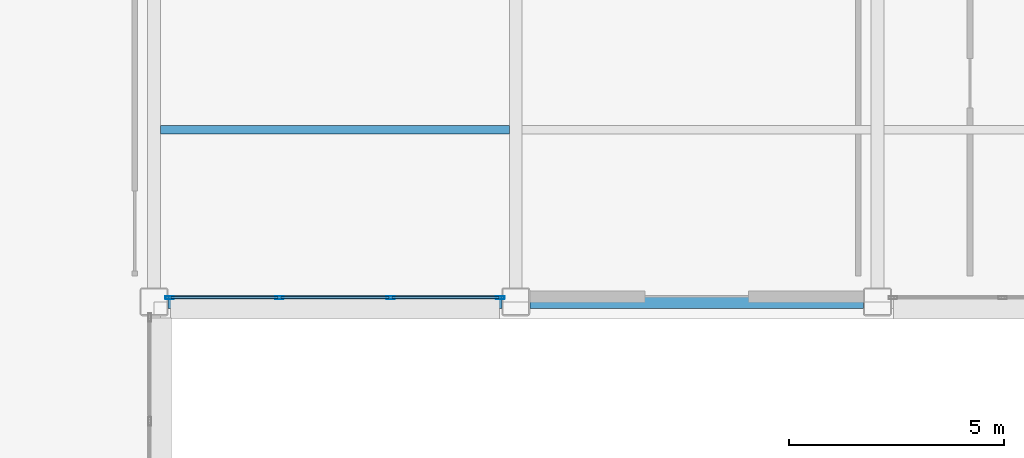
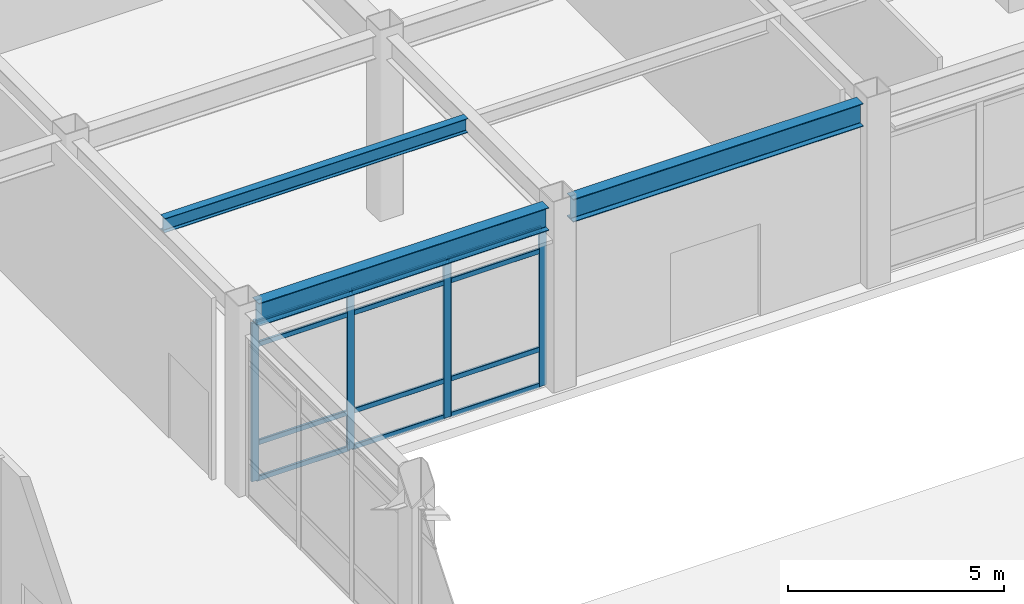
# One storey, part 40 of 165: 16 members, 3 beams, 1 element without a shape of its own.
"""IFC4 building model written with IfcOpenShell, lengths in metres."""

import ifcopenshell
import ifcopenshell.guid

model = None  # the IFC model being written
_history = None  # IfcOwnerHistory: only IFC2X3 demands one
_inside = {}  # id of a spatial element -> (the spatial element, [elements in it])
_under = {}  # id of a project, library or spatial element -> (it, [spatial elements below it])
_declared = {}  # id of a project -> (the project, [libraries it declares])
_typed = {}  # id of a type object -> (the type object, [elements of that type])
_made_of = {}  # id of a material, layer set ... -> (it, [elements and type objects made of it])


def new_model(schema):
    """Start an empty IFC model of exactly this schema.

    Asked for "IFC4X3", IfcOpenShell would pick the latest addendum, in which some entities
    have other attributes; the version numbers below select the first issue.
    IFC2X3 requires an IfcOwnerHistory on every rooted entity: one is made here for all.
    """
    global model, _history
    if schema == "IFC4X3":
        model = ifcopenshell.file(schema_version=(4, 3, 0, 0))
    else:
        model = ifcopenshell.file(schema=schema)
    _inside.clear()
    _under.clear()
    _declared.clear()
    _typed.clear()
    _made_of.clear()
    _history = None
    if model.schema == "IFC2X3":
        org = make("IfcOrganization", Name="unknown")
        user = make(
            "IfcPersonAndOrganization",
            ThePerson=make("IfcPerson", FamilyName="unknown"),
            TheOrganization=org,
        )
        app = make(
            "IfcApplication",
            ApplicationDeveloper=org,
            Version="unknown",
            ApplicationFullName="unknown",
            ApplicationIdentifier="unknown",
        )
        _history = make(
            "IfcOwnerHistory",
            OwningUser=user,
            OwningApplication=app,
            ChangeAction="ADDED",
            CreationDate=0,
        )
    return model


def make(cls, **values):
    """One entity of the class cls with the attributes given. An attribute that is None is left unset."""
    return model.create_entity(
        cls, **{name: value for name, value in values.items() if value is not None}
    )


def rooted(cls, **values):
    """An entity with a GlobalId (a new one), such as an element, a storey or a relation."""
    return make(cls, GlobalId=ifcopenshell.guid.new(), OwnerHistory=_history, **values)


def si_unit(unit_type, name, prefix=None):
    """IfcSIUnit, for example si_unit("LENGTHUNIT", "METRE", prefix="MILLI")."""
    return make("IfcSIUnit", UnitType=unit_type, Prefix=prefix, Name=name)


def assignment(units):
    """IfcUnitAssignment: the units of a project."""
    return None if units is None else make("IfcUnitAssignment", Units=units)


def point(xyz):
    """IfcCartesianPoint."""
    return None if xyz is None else make("IfcCartesianPoint", Coordinates=xyz)


def direction(xyz):
    """IfcDirection."""
    return None if xyz is None else make("IfcDirection", DirectionRatios=xyz)


def frame(location, z_axis=None, x_axis=None):
    """IfcAxis2Placement3D, a coordinate frame: its origin and axes. An axis left out is left unset."""
    return make(
        "IfcAxis2Placement3D",
        Location=point(location),
        Axis=direction(z_axis),
        RefDirection=direction(x_axis),
    )


def frame_2d(location, x_axis=None):
    """IfcAxis2Placement2D, a coordinate frame in the plane: its origin and x axis."""
    return make(
        "IfcAxis2Placement2D", Location=point(location), RefDirection=direction(x_axis)
    )


def origin():
    """The frame at (0, 0, 0) with its axes left unset."""
    return frame((0.0, 0.0, 0.0))


def origin_2d():
    """The frame at (0, 0) in the plane with its x axis left unset."""
    return frame_2d((0.0, 0.0))


def place(relative_to, where):
    """IfcLocalPlacement: puts the frame where relative to a parent placement (None: the world)."""
    return make(
        "IfcLocalPlacement", PlacementRelTo=relative_to, RelativePlacement=where
    )


def context(
    kind, dimensions, precision=None, world=None, true_north=None, identifier=None
):
    """IfcGeometricRepresentationContext, for example the 3D "Model" context."""
    return make(
        "IfcGeometricRepresentationContext",
        ContextIdentifier=identifier,
        ContextType=kind,
        CoordinateSpaceDimension=dimensions,
        Precision=precision,
        WorldCoordinateSystem=world,
        TrueNorth=true_north,
    )


def subcontext(parent, identifier, kind, view, scale=None):
    """IfcGeometricRepresentationSubContext, for example "Body" below "Model"."""
    return make(
        "IfcGeometricRepresentationSubContext",
        ContextIdentifier=identifier,
        ContextType=kind,
        ParentContext=parent,
        TargetScale=scale,
        TargetView=view,
    )


def project(units=None, contexts=None):
    """IfcProject with its units and contexts."""
    return rooted(
        "IfcProject",
        Name="project",
        RepresentationContexts=contexts,
        UnitsInContext=assignment(units),
    )


def spatial(cls, under=None, at=None, **own):
    """A site, building, storey or space (cls), placed at a placement, below another one or the project."""
    s = rooted(cls, ObjectPlacement=at, **own)
    if under is not None:
        _under.setdefault(under.id(), (under, []))[1].append(s)
    return s


def profile(cls, at=None, kind="AREA", **sizes):
    """A parametric profile (cls). Its sizes go by their IFC names, for example OverallWidth=200.0."""
    return make(cls, ProfileType=kind, Position=at, **sizes)


def hollow_rectangle(**sizes):
    """IfcRectangleHollowProfileDef."""
    return profile("IfcRectangleHollowProfileDef", **sizes)


def i_section(**sizes):
    """IfcIShapeProfileDef."""
    return profile("IfcIShapeProfileDef", **sizes)


def extrude(swept, where, along, depth):
    """IfcExtrudedAreaSolid: the profile swept, set in the frame where, extruded along a direction by depth."""
    return make(
        "IfcExtrudedAreaSolid",
        SweptArea=swept,
        Position=where,
        ExtrudedDirection=direction(along),
        Depth=depth,
    )


def shape(context_of_items, identifier, shape_type, items):
    """IfcShapeRepresentation: the items that make up one representation, for example the "Body"."""
    return make(
        "IfcShapeRepresentation",
        ContextOfItems=context_of_items,
        RepresentationIdentifier=identifier,
        RepresentationType=shape_type,
        Items=items,
    )


def material(Name=None, Category=None):
    """IfcMaterial."""
    return make("IfcMaterial", Name=Name, Category=Category)


def layer(
    of_material, thickness, ventilated=None, Name=None, Category=None, Priority=None
):
    """IfcMaterialLayer: one layer of a wall or slab, of a material (None: an air gap)."""
    return make(
        "IfcMaterialLayer",
        Material=of_material,
        LayerThickness=thickness,
        IsVentilated=ventilated,
        Name=Name,
        Category=Category,
        Priority=Priority,
    )


def layer_set(layers, Name=None):
    """IfcMaterialLayerSet."""
    return make("IfcMaterialLayerSet", MaterialLayers=layers, LayerSetName=Name)


def material_profile(
    of_material, cross_section, Name=None, Category=None, Priority=None
):
    """IfcMaterialProfile: a cross section and its material."""
    return make(
        "IfcMaterialProfile",
        Name=Name,
        Material=of_material,
        Profile=cross_section,
        Priority=Priority,
        Category=Category,
    )


def profile_set(profiles, Name=None, composite=None):
    """IfcMaterialProfileSet."""
    return make(
        "IfcMaterialProfileSet",
        Name=Name,
        MaterialProfiles=profiles,
        CompositeProfile=composite,
    )


def made_of(thing, what):
    """Note that an element or type object is made of a material, layer set ...; save() writes the relation."""
    if what is not None:
        _made_of.setdefault(what.id(), (what, []))[1].append(thing)
    return thing


def type_object(cls, material=None, **own):
    """A type object (cls), such as IfcWallType, which elements share."""
    return made_of(rooted(cls, **own), material)


def element(
    cls,
    number,
    at=None,
    inside=None,
    cuts=None,
    type_object=None,
    material=None,
    context=None,
    identifier="Body",
    shape_type=None,
    held_by="IfcProductDefinitionShape",
    body=None,
    shapes=None,
    **own,
):
    """One element of the class cls, such as IfcWall. Its Tag is "e" and its number.

    at: its placement. inside: the storey or other place that contains it. cuts: it is an
    opening in that element (IfcRelVoidsElement). A single representation is given by context,
    identifier, shape_type and body (its items); several are given by shapes. held_by: the class
    of the entity that holds the representations. save() writes the other relations.
    """
    e = rooted(cls, Tag="e%d" % number, ObjectPlacement=at, **own)
    if body is not None:
        shapes = [shape(context, identifier, shape_type, body)]
    if shapes is not None:
        e.Representation = make(held_by, Representations=shapes)
    if inside is not None:
        _inside.setdefault(inside.id(), (inside, []))[1].append(e)
    if cuts is not None:
        rooted(
            "IfcRelVoidsElement", RelatingBuildingElement=cuts, RelatedOpeningElement=e
        )
    if type_object is not None:
        _typed.setdefault(type_object.id(), (type_object, []))[1].append(e)
    return made_of(e, material)


def aggregate(whole, parts):
    """IfcRelAggregates: a whole, such as a stair, and the parts it consists of."""
    return rooted("IfcRelAggregates", RelatingObject=whole, RelatedObjects=parts)


def save(model, path):
    """Write the relations noted so far, then the file.

    IfcRelAggregates (storeys below a building ...), IfcRelContainedInSpatialStructure (elements
    in a storey), IfcRelDefinesByType, IfcRelAssociatesMaterial and IfcRelDeclares: one each for
    every whole, place, type object, material and project.
    """
    for whole, parts in _under.values():
        aggregate(whole, parts)
    for where, things in _inside.values():
        rooted(
            "IfcRelContainedInSpatialStructure",
            RelatedElements=things,
            RelatingStructure=where,
        )
    for kind, things in _typed.values():
        rooted("IfcRelDefinesByType", RelatedObjects=things, RelatingType=kind)
    for what, things in _made_of.values():
        rooted("IfcRelAssociatesMaterial", RelatedObjects=things, RelatingMaterial=what)
    for by, libraries in _declared.values():
        rooted("IfcRelDeclares", RelatingContext=by, RelatedDefinitions=libraries)
    model.write(path)


model = new_model("IFC4")

# Units and contexts
model_context = context("Model", 3, precision=1e-05, world=origin(), true_north=direction((0.0, 1.0)))
body_context = subcontext(model_context, "Body", "Model", "MODEL_VIEW")
ifc_project = project(units=[si_unit("LENGTHUNIT", "METRE"), si_unit("AREAUNIT", "SQUARE_METRE"), si_unit("VOLUMEUNIT", "CUBIC_METRE"), si_unit("PLANEANGLEUNIT", "RADIAN"), si_unit("MASSUNIT", "GRAM", prefix="KILO")], contexts=[model_context])

# Site, building, storey
site_placement = place(None, origin())
site = spatial("IfcSite", under=ifc_project, at=site_placement, CompositionType="ELEMENT")
building_placement = place(site_placement, origin())
building = spatial("IfcBuilding", under=site, at=building_placement, Name="Kazehara Bluff Congress Hotel", CompositionType="ELEMENT")
storey_placement = place(building_placement, origin())
storey = spatial("IfcBuildingStorey", under=building, at=storey_placement, Name="L00", CompositionType="ELEMENT", Elevation=0.0)

# Curtain wall, members
ifc_material_1 = material(Name="Anodised aluminium", Category="aluminium")
ifc_layer = layer(ifc_material_1, 0.159912109375)
ifc_layer_set = layer_set([ifc_layer], Name="Anodised aluminium")
curtain_wall_type = type_object("IfcCurtainWallType", Name="TP-CW-69", PredefinedType="NOTDEFINED", material=ifc_layer_set)
curtain_wall_placement = place(storey_placement, origin())
curtain_wall = element("IfcCurtainWall", 1, at=curtain_wall_placement, inside=storey, type_object=curtain_wall_type, Name="L00 curtain wall CW-69 CW-ENC-V4-L00-8025-1610", PredefinedType="NOTDEFINED")
ifc_material_2 = material(Name="Anodised aluminium", Category="aluminium")
ifc_material_profile_1 = material_profile(ifc_material_2, hollow_rectangle(XDim=0.070068359375, YDim=0.199951171875, WallThickness=0.0048828125, InnerFilletRadius=0.0048828125, OuterFilletRadius=0.010009765625, at=origin_2d()))
ifc_profile_set_1 = profile_set([ifc_material_profile_1], Name="Anodised aluminium")
member_type_1 = type_object("IfcMemberType", Name="TP-CWM-03", PredefinedType="MULLION", material=ifc_profile_set_1)
member_1_placement = place(storey_placement, frame((84.090087890625, 16.10009765625, 0.0), z_axis=(0.0, 0.0, 1.0), x_axis=(0.0, -1.0, 0.0)))
member_1 = element("IfcMember", 2, at=member_1_placement, type_object=member_type_1, Name="CW-69 mullion 1", PredefinedType="MULLION", context=body_context, shape_type="SweptSolid", body=[
    extrude(hollow_rectangle(XDim=0.070068359375, YDim=0.199951171875, WallThickness=0.0048828125, InnerFilletRadius=0.0048828125, OuterFilletRadius=0.010009765625, at=origin_2d()), origin(), (0.0, 0.0, 1.0), 4.47509765625),
])
member_2_placement = place(storey_placement, frame((81.541748046875, 16.10009765625, 0.0), z_axis=(0.0, 0.0, 1.0), x_axis=(0.0, -1.0, 0.0)))
member_2 = element("IfcMember", 3, at=member_2_placement, type_object=member_type_1, Name="CW-69 mullion 2", PredefinedType="MULLION", context=body_context, shape_type="SweptSolid", body=[
    extrude(hollow_rectangle(XDim=0.070068359375, YDim=0.199951171875, WallThickness=0.0048828125, InnerFilletRadius=0.0048828125, OuterFilletRadius=0.010009765625, at=origin_2d()), origin(), (0.0, 0.0, 1.0), 4.47509765625),
])
member_3_placement = place(storey_placement, frame((78.958251953125, 16.10009765625, 0.0), z_axis=(0.0, 0.0, 1.0), x_axis=(0.0, -1.0, 0.0)))
member_3 = element("IfcMember", 4, at=member_3_placement, type_object=member_type_1, Name="CW-69 mullion 3", PredefinedType="MULLION", context=body_context, shape_type="SweptSolid", body=[
    extrude(hollow_rectangle(XDim=0.070068359375, YDim=0.199951171875, WallThickness=0.0048828125, InnerFilletRadius=0.0048828125, OuterFilletRadius=0.010009765625, at=origin_2d()), origin(), (0.0, 0.0, 1.0), 4.47509765625),
])
member_4_placement = place(storey_placement, frame((76.409912109375, 16.10009765625, 0.0), z_axis=(0.0, 0.0, 1.0), x_axis=(0.0, -1.0, 0.0)))
member_4 = element("IfcMember", 5, at=member_4_placement, type_object=member_type_1, Name="CW-69 mullion 4", PredefinedType="MULLION", context=body_context, shape_type="SweptSolid", body=[
    extrude(hollow_rectangle(XDim=0.070068359375, YDim=0.199951171875, WallThickness=0.0048828125, InnerFilletRadius=0.0048828125, OuterFilletRadius=0.010009765625, at=origin_2d()), origin(), (0.0, 0.0, 1.0), 4.47509765625),
])
ifc_material_3 = material(Name="Anodised aluminium", Category="aluminium")
ifc_material_profile_2 = material_profile(ifc_material_3, hollow_rectangle(XDim=0.06494140625, YDim=0.139892578125, WallThickness=0.00390625, InnerFilletRadius=0.00390625, OuterFilletRadius=0.008056640625, at=origin_2d()))
ifc_profile_set_2 = profile_set([ifc_material_profile_2], Name="Anodised aluminium")
member_type_2 = type_object("IfcMemberType", Name="TP-CWT-02", PredefinedType="USERDEFINED", material=ifc_profile_set_2)
member_5_placement = place(storey_placement, frame((84.054931640625, 16.10009765625, 0.032470703125), z_axis=(-1.0, 0.0, 0.0), x_axis=(0.0, -1.0, 0.0)))
member_5 = element("IfcMember", 6, at=member_5_placement, type_object=member_type_2, Name="CW-69 transom 1.1", ObjectType="TRANSOM", PredefinedType="USERDEFINED", context=body_context, shape_type="SweptSolid", body=[
    extrude(hollow_rectangle(XDim=0.06494140625, YDim=0.139892578125, WallThickness=0.00390625, InnerFilletRadius=0.00390625, OuterFilletRadius=0.008056640625, at=origin_2d()), origin(), (0.0, 0.0, 1.0), 2.478271484375),
])
member_6_placement = place(storey_placement, frame((84.054931640625, 16.10009765625, 1.050048828125), z_axis=(-1.0, 0.0, 0.0), x_axis=(0.0, -1.0, 0.0)))
member_6 = element("IfcMember", 7, at=member_6_placement, type_object=member_type_2, Name="CW-69 transom 1.2", ObjectType="TRANSOM", PredefinedType="USERDEFINED", context=body_context, shape_type="SweptSolid", body=[
    extrude(hollow_rectangle(XDim=0.06494140625, YDim=0.139892578125, WallThickness=0.00390625, InnerFilletRadius=0.00390625, OuterFilletRadius=0.008056640625, at=origin_2d()), origin(), (0.0, 0.0, 1.0), 2.478271484375),
])
member_7_placement = place(storey_placement, frame((84.054931640625, 16.10009765625, 3.824951171875), z_axis=(-1.0, 0.0, 0.0), x_axis=(0.0, -1.0, 0.0)))
member_7 = element("IfcMember", 8, at=member_7_placement, type_object=member_type_2, Name="CW-69 transom 1.3", ObjectType="TRANSOM", PredefinedType="USERDEFINED", context=body_context, shape_type="SweptSolid", body=[
    extrude(hollow_rectangle(XDim=0.06494140625, YDim=0.139892578125, WallThickness=0.00390625, InnerFilletRadius=0.00390625, OuterFilletRadius=0.008056640625, at=origin_2d()), origin(), (0.0, 0.0, 1.0), 2.478271484375),
])
member_8_placement = place(storey_placement, frame((84.054931640625, 16.10009765625, 4.4423828125), z_axis=(-1.0, 0.0, 0.0), x_axis=(0.0, -1.0, 0.0)))
member_8 = element("IfcMember", 9, at=member_8_placement, type_object=member_type_2, Name="CW-69 transom 1.4", ObjectType="TRANSOM", PredefinedType="USERDEFINED", context=body_context, shape_type="SweptSolid", body=[
    extrude(hollow_rectangle(XDim=0.06494140625, YDim=0.139892578125, WallThickness=0.00390625, InnerFilletRadius=0.00390625, OuterFilletRadius=0.008056640625, at=origin_2d()), origin(), (0.0, 0.0, 1.0), 2.478271484375),
])
member_9_placement = place(storey_placement, frame((81.506591796875, 16.10009765625, 0.032470703125), z_axis=(-1.0, 0.0, 0.0), x_axis=(0.0, -1.0, 0.0)))
member_9 = element("IfcMember", 10, at=member_9_placement, type_object=member_type_2, Name="CW-69 transom 2.1", ObjectType="TRANSOM", PredefinedType="USERDEFINED", context=body_context, shape_type="SweptSolid", body=[
    extrude(hollow_rectangle(XDim=0.06494140625, YDim=0.139892578125, WallThickness=0.00390625, InnerFilletRadius=0.00390625, OuterFilletRadius=0.008056640625, at=origin_2d()), origin(), (0.0, 0.0, 1.0), 2.51318359375),
])
member_10_placement = place(storey_placement, frame((81.506591796875, 16.10009765625, 1.050048828125), z_axis=(-1.0, 0.0, 0.0), x_axis=(0.0, -1.0, 0.0)))
member_10 = element("IfcMember", 11, at=member_10_placement, type_object=member_type_2, Name="CW-69 transom 2.2", ObjectType="TRANSOM", PredefinedType="USERDEFINED", context=body_context, shape_type="SweptSolid", body=[
    extrude(hollow_rectangle(XDim=0.06494140625, YDim=0.139892578125, WallThickness=0.00390625, InnerFilletRadius=0.00390625, OuterFilletRadius=0.008056640625, at=origin_2d()), origin(), (0.0, 0.0, 1.0), 2.51318359375),
])
member_11_placement = place(storey_placement, frame((81.506591796875, 16.10009765625, 3.824951171875), z_axis=(-1.0, 0.0, 0.0), x_axis=(0.0, -1.0, 0.0)))
member_11 = element("IfcMember", 12, at=member_11_placement, type_object=member_type_2, Name="CW-69 transom 2.3", ObjectType="TRANSOM", PredefinedType="USERDEFINED", context=body_context, shape_type="SweptSolid", body=[
    extrude(hollow_rectangle(XDim=0.06494140625, YDim=0.139892578125, WallThickness=0.00390625, InnerFilletRadius=0.00390625, OuterFilletRadius=0.008056640625, at=origin_2d()), origin(), (0.0, 0.0, 1.0), 2.51318359375),
])
member_12_placement = place(storey_placement, frame((81.506591796875, 16.10009765625, 4.4423828125), z_axis=(-1.0, 0.0, 0.0), x_axis=(0.0, -1.0, 0.0)))
member_12 = element("IfcMember", 13, at=member_12_placement, type_object=member_type_2, Name="CW-69 transom 2.4", ObjectType="TRANSOM", PredefinedType="USERDEFINED", context=body_context, shape_type="SweptSolid", body=[
    extrude(hollow_rectangle(XDim=0.06494140625, YDim=0.139892578125, WallThickness=0.00390625, InnerFilletRadius=0.00390625, OuterFilletRadius=0.008056640625, at=origin_2d()), origin(), (0.0, 0.0, 1.0), 2.51318359375),
])
member_13_placement = place(storey_placement, frame((78.92333984375, 16.10009765625, 0.032470703125), z_axis=(-1.0, 0.0, 0.0), x_axis=(0.0, -1.0, 0.0)))
member_13 = element("IfcMember", 14, at=member_13_placement, type_object=member_type_2, Name="CW-69 transom 3.1", ObjectType="TRANSOM", PredefinedType="USERDEFINED", context=body_context, shape_type="SweptSolid", body=[
    extrude(hollow_rectangle(XDim=0.06494140625, YDim=0.139892578125, WallThickness=0.00390625, InnerFilletRadius=0.00390625, OuterFilletRadius=0.008056640625, at=origin_2d()), origin(), (0.0, 0.0, 1.0), 2.478271484375),
])
member_14_placement = place(storey_placement, frame((78.92333984375, 16.10009765625, 1.050048828125), z_axis=(-1.0, 0.0, 0.0), x_axis=(0.0, -1.0, 0.0)))
member_14 = element("IfcMember", 15, at=member_14_placement, type_object=member_type_2, Name="CW-69 transom 3.2", ObjectType="TRANSOM", PredefinedType="USERDEFINED", context=body_context, shape_type="SweptSolid", body=[
    extrude(hollow_rectangle(XDim=0.06494140625, YDim=0.139892578125, WallThickness=0.00390625, InnerFilletRadius=0.00390625, OuterFilletRadius=0.008056640625, at=origin_2d()), origin(), (0.0, 0.0, 1.0), 2.478271484375),
])
member_15_placement = place(storey_placement, frame((78.92333984375, 16.10009765625, 3.824951171875), z_axis=(-1.0, 0.0, 0.0), x_axis=(0.0, -1.0, 0.0)))
member_15 = element("IfcMember", 16, at=member_15_placement, type_object=member_type_2, Name="CW-69 transom 3.3", ObjectType="TRANSOM", PredefinedType="USERDEFINED", context=body_context, shape_type="SweptSolid", body=[
    extrude(hollow_rectangle(XDim=0.06494140625, YDim=0.139892578125, WallThickness=0.00390625, InnerFilletRadius=0.00390625, OuterFilletRadius=0.008056640625, at=origin_2d()), origin(), (0.0, 0.0, 1.0), 2.478271484375),
])
member_16_placement = place(storey_placement, frame((78.92333984375, 16.10009765625, 4.4423828125), z_axis=(-1.0, 0.0, 0.0), x_axis=(0.0, -1.0, 0.0)))
member_16 = element("IfcMember", 17, at=member_16_placement, type_object=member_type_2, Name="CW-69 transom 3.4", ObjectType="TRANSOM", PredefinedType="USERDEFINED", context=body_context, shape_type="SweptSolid", body=[
    extrude(hollow_rectangle(XDim=0.06494140625, YDim=0.139892578125, WallThickness=0.00390625, InnerFilletRadius=0.00390625, OuterFilletRadius=0.008056640625, at=origin_2d()), origin(), (0.0, 0.0, 1.0), 2.478271484375),
])
aggregate(curtain_wall, [member_1, member_2, member_3, member_4, member_5, member_6, member_7, member_8, member_9, member_10, member_11, member_12, member_13, member_14, member_15, member_16])

# Beams
ifc_material_4 = material(Name="Steel SN490B", Category="steel")
ifc_material_profile_3 = material_profile(ifc_material_4, i_section(OverallWidth=0.300048828125, OverallDepth=0.64990234375, WebThickness=0.011962890625, FlangeThickness=0.02001953125, FilletRadius=0.012939453125, at=origin_2d()))
ifc_profile_set_3 = profile_set([ifc_material_profile_3], Name="Steel SN490B")
beam_type_1 = type_object("IfcBeamType", Name="TP-G-03", PredefinedType="BEAM", material=ifc_profile_set_3)
for number, where, z_axis, x_axis, name in (
    (18, (76.375, 16.0, 4.824951171875), (1.0, 0.0, 0.0), (0.0, 1.0, 0.0), "L00 girder G-03 189"),
    (19, (84.77490234375, 16.0, 4.824951171875), (1.0, 0.0, 0.0), (0.0, 1.0, 0.0), "L00 girder G-03 190"),
):
    element("IfcBeam", number, at=place(storey_placement, frame(where, z_axis=z_axis, x_axis=x_axis)), inside=storey, type_object=beam_type_1, Name=name, PredefinedType="BEAM", context=body_context, shape_type="SweptSolid", body=[
        extrude(i_section(OverallWidth=0.300048828125, OverallDepth=0.64990234375, WebThickness=0.011962890625, FlangeThickness=0.02001953125, FilletRadius=0.012939453125, at=origin_2d()), origin(), (0.0, 0.0, 1.0), 7.75),
    ])
ifc_material_5 = material(Name="Steel SN400B", Category="steel")
ifc_material_profile_4 = material_profile(ifc_material_5, i_section(OverallWidth=0.199951171875, OverallDepth=0.39990234375, WebThickness=0.008056640625, FlangeThickness=0.012939453125, FilletRadius=0.012939453125, at=origin_2d()))
ifc_profile_set_4 = profile_set([ifc_material_profile_4], Name="Steel SN400B")
beam_type_2 = type_object("IfcBeamType", Name="TP-J-03", PredefinedType="JOIST", material=ifc_profile_set_4)
beam_placement = place(storey_placement, frame((76.199951171875, 20.0, 4.949951171875), z_axis=(1.0, 0.0, 0.0), x_axis=(0.0, 1.0, 0.0)))
element("IfcBeam", 20, at=beam_placement, inside=storey, type_object=beam_type_2, Name="L00 secondary joist J-03 41", PredefinedType="JOIST", context=body_context, shape_type="SweptSolid", body=[
    extrude(i_section(OverallWidth=0.199951171875, OverallDepth=0.39990234375, WebThickness=0.008056640625, FlangeThickness=0.012939453125, FilletRadius=0.012939453125, at=origin_2d()), origin(), (0.0, 0.0, 1.0), 8.10009765625),
])

save(model, "model.ifc")
